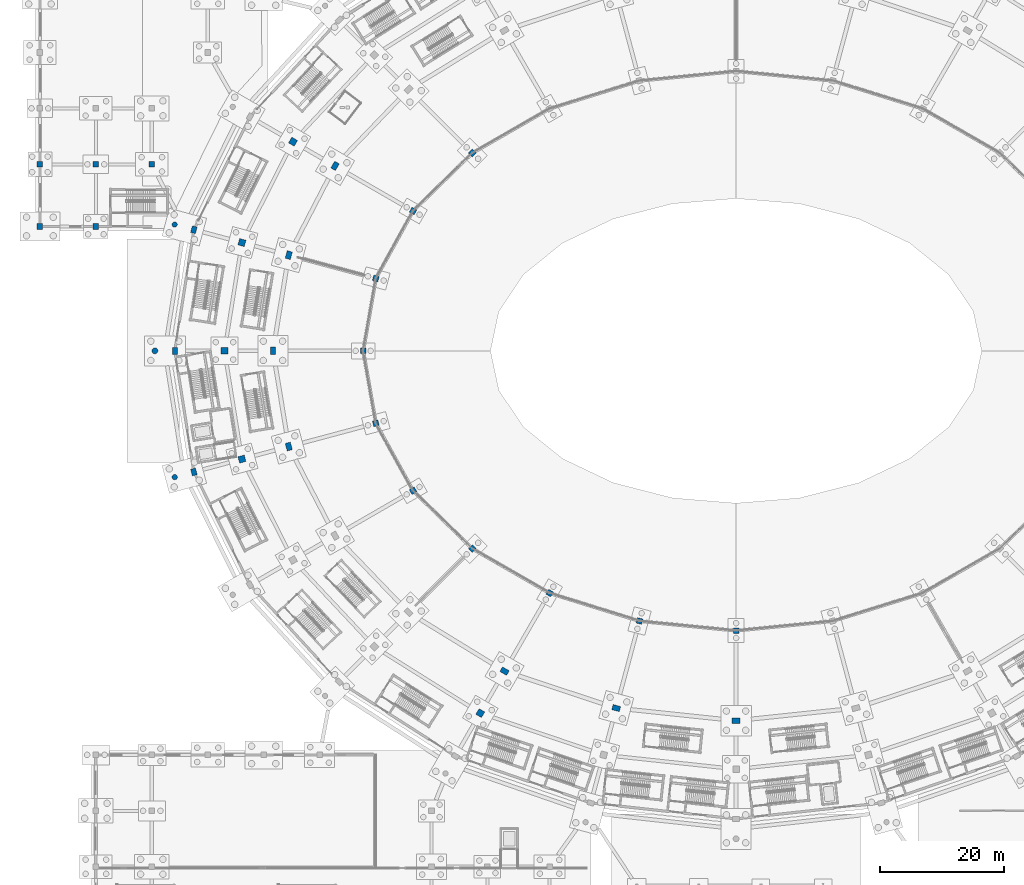
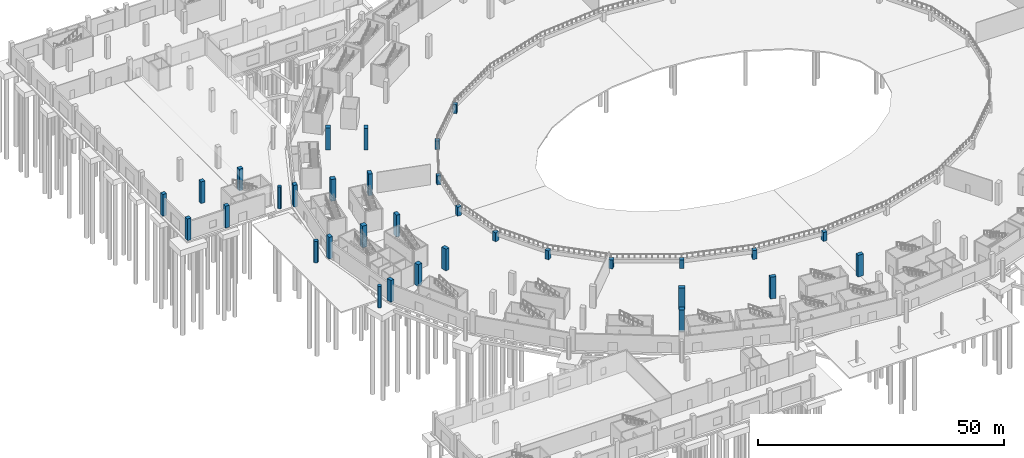
# One storey, part 18 of 103: 33 columns.
"""IFC4 building model written with IfcOpenShell, lengths in metres."""

from ifc_helpers import new_model, si_unit, direction, frame, origin, origin_2d, place, context, subcontext, project, spatial, rectangle, circle, extrude, material, material_profile, profile_set, type_object, element, save


model = new_model("IFC4")

# Units and contexts
model_context = context("Model", 3, precision=1e-05, world=origin(), true_north=direction((0.0, 1.0)))
body_context = subcontext(model_context, "Body", "Model", "MODEL_VIEW")
ifc_project = project(units=[si_unit("LENGTHUNIT", "METRE"), si_unit("AREAUNIT", "SQUARE_METRE"), si_unit("VOLUMEUNIT", "CUBIC_METRE"), si_unit("PLANEANGLEUNIT", "RADIAN"), si_unit("MASSUNIT", "GRAM", prefix="KILO")], contexts=[model_context])

# Site, building, storey
site_placement = place(None, origin())
site = spatial("IfcSite", under=ifc_project, at=site_placement, CompositionType="ELEMENT")
building_placement = place(site_placement, origin())
building = spatial("IfcBuilding", under=site, at=building_placement, Name="Zevraka Park Crest Stadium", CompositionType="ELEMENT")
storey_placement = place(building_placement, origin())
storey = spatial("IfcBuildingStorey", under=building, at=storey_placement, Name="L00", CompositionType="ELEMENT", Elevation=0.0)

# Columns
ifc_material_1 = material(Name="Concrete C40/50", Category="concrete")
ifc_material_profile_1 = material_profile(ifc_material_1, rectangle(XDim=0.85009765625, YDim=1.25, at=origin_2d()), Name="RC 1250x850")
ifc_profile_set_1 = profile_set([ifc_material_profile_1], Name="Concrete C40/50")
column_type_1 = type_object("IfcColumnType", Name="C01", PredefinedType="COLUMN", material=ifc_profile_set_1)
for number, where, z_axis, x_axis, name in (
    (1, (47.48095703125, 121.75, 0.0), (0.0, 0.0, 1.0), (-0.866025403784, 0.5, 0.0), "Bowl Main Column C01 L00-B-10"),
    (2, (40.0390625, 107.39990234375, 0.0), (0.0, 0.0, 1.0), (-0.965925826289, 0.258819045103, 0.0), "Bowl Main Column C01 L00-B-11"),
    (3, (37.5, 92.0, 0.0), (0.0, 0.0, 1.0), (1.0, 0.0, 0.0), "Bowl Main Column C01 L00-B-12"),
    (4, (40.0390625, 76.60009765625, 0.0), (0.0, 0.0, 1.0), (0.965925826289, 0.258819045103, 0.0), "Bowl Main Column C01 L00-B-13"),
    (5, (74.75, 40.470947265625, 0.0), (0.0, 0.0, 1.0), (0.5, 0.866025403784, 0.0), "Bowl Main Column C01 L00-B-16"),
    (6, (92.718017578125, 34.527099609375, 0.0), (0.0, 0.0, 1.0), (0.258819045103, 0.965925826289, 0.0), "Bowl Main Column C01 L00-B-17"),
    (7, (112.0, 32.5, 0.0), (0.0, 0.0, 1.0), (0.0, 1.0, 0.0), "Bowl Main Column C01 L00-B-18"),
):
    element("IfcColumn", number, at=place(storey_placement, frame(where, z_axis=z_axis, x_axis=x_axis)), inside=storey, type_object=column_type_1, Name=name, PredefinedType="COLUMN", context=body_context, shape_type="SweptSolid", body=[
        extrude(rectangle(XDim=0.85009765625, YDim=1.25, at=origin_2d()), origin(), (0.0, 0.0, 1.0), 5.39990234375),
    ])
ifc_material_2 = material(Name="Concrete C40/50", Category="concrete")
ifc_material_profile_2 = material_profile(ifc_material_2, rectangle(XDim=0.800048828125, YDim=1.10009765625, at=origin_2d()), Name="RC 1100x800")
ifc_profile_set_2 = profile_set([ifc_material_profile_2], Name="Concrete C40/50")
column_type_2 = type_object("IfcColumnType", Name="C02", PredefinedType="COLUMN", material=ifc_profile_set_2)
for number, where, z_axis, x_axis, name in (
    (8, (24.777099609375, 111.489013671875, 0.0), (0.0, 0.0, 1.0), (-0.965925826289, 0.258819045103, 0.0), "Perimeter Ring Column C02 L00-D-11"),
    (9, (21.699951171875, 92.0, 0.0), (0.0, 0.0, 1.0), (1.0, 0.0, 0.0), "Perimeter Ring Column C02 L00-D-12"),
    (10, (24.777099609375, 72.510986328125, 0.0), (0.0, 0.0, 1.0), (0.965925826289, 0.258819045103, 0.0), "Perimeter Ring Column C02 L00-D-13"),
):
    element("IfcColumn", number, at=place(storey_placement, frame(where, z_axis=z_axis, x_axis=x_axis)), inside=storey, type_object=column_type_2, Name=name, PredefinedType="COLUMN", context=body_context, shape_type="SweptSolid", body=[
        extrude(rectangle(XDim=0.800048828125, YDim=1.10009765625, at=origin_2d()), origin(), (0.0, 0.0, 1.0), 5.39990234375),
    ])
ifc_material_3 = material(Name="Concrete C40/50", Category="concrete")
ifc_material_profile_3 = material_profile(ifc_material_3, rectangle(XDim=1.050048828125, YDim=1.050048828125, at=origin_2d()), Name="RC 1050x1050")
ifc_profile_set_3 = profile_set([ifc_material_profile_3], Name="Concrete C40/50")
column_type_3 = type_object("IfcColumnType", Name="C03", PredefinedType="COLUMN", material=ifc_profile_set_3)
for number, where, z_axis, x_axis, name in (
    (11, (40.72607421875, 125.64990234375, 0.0), (0.0, 0.0, 1.0), (-0.866025403784, 0.5, 0.0), "Concourse Mid Column C03 L00-C-10"),
    (12, (32.50390625, 109.4189453125, 0.0), (0.0, 0.0, 1.0), (-0.965925826289, 0.258819045103, 0.0), "Concourse Mid Column C03 L00-C-11"),
    (13, (29.699951171875, 92.0, 0.0), (0.0, 0.0, 1.0), (1.0, 0.0, 0.0), "Concourse Mid Column C03 L00-C-12"),
    (14, (32.50390625, 74.5810546875, 0.0), (0.0, 0.0, 1.0), (0.965925826289, 0.258819045103, 0.0), "Concourse Mid Column C03 L00-C-13"),
    (15, (70.85009765625, 33.716064453125, 0.0), (0.0, 0.0, 1.0), (0.5, 0.866025403784, 0.0), "Concourse Mid Column C03 L00-C-16"),
):
    element("IfcColumn", number, at=place(storey_placement, frame(where, z_axis=z_axis, x_axis=x_axis)), inside=storey, type_object=column_type_3, Name=name, PredefinedType="COLUMN", context=body_context, shape_type="SweptSolid", body=[
        extrude(rectangle(XDim=1.050048828125, YDim=1.050048828125, at=origin_2d()), origin(), (0.0, 0.0, 1.0), 5.39990234375),
    ])
ifc_material_4 = material(Name="Concrete C40/50", Category="concrete")
ifc_material_profile_4 = material_profile(ifc_material_4, rectangle(XDim=0.89990234375, YDim=0.89990234375, at=origin_2d()), Name="RC 900x900")
ifc_profile_set_4 = profile_set([ifc_material_profile_4], Name="Concrete C40/50")
column_type_4 = type_object("IfcColumnType", Name="C04", PredefinedType="COLUMN", material=ifc_profile_set_4)
for number, where, z_axis, x_axis, name in (
    (16, (69.573974609375, 123.820068359375, 0.0), (0.0, 0.0, 1.0), (-0.707106781187, 0.707106781187, 0.0), "Bowl Moat Column C04 L00-A-09"),
    (17, (60.0380859375, 114.5, 0.0), (0.0, 0.0, 1.0), (-0.866025403784, 0.5, 0.0), "Bowl Moat Column C04 L00-A-10"),
    (18, (54.0439453125, 103.64697265625, 0.0), (0.0, 0.0, 1.0), (-0.965925826289, 0.258819045103, 0.0), "Bowl Moat Column C04 L00-A-11"),
    (19, (52.0, 92.0, 0.0), (0.0, 0.0, 1.0), (1.0, 0.0, 0.0), "Bowl Moat Column C04 L00-A-12"),
    (20, (54.0439453125, 80.35302734375, 0.0), (0.0, 0.0, 1.0), (0.965925826289, 0.258819045103, 0.0), "Bowl Moat Column C04 L00-A-13"),
    (21, (60.0380859375, 69.5, 0.0), (0.0, 0.0, 1.0), (0.866025403784, 0.5, 0.0), "Bowl Moat Column C04 L00-A-14"),
    (22, (69.573974609375, 60.179931640625, 0.0), (0.0, 0.0, 1.0), (0.707106781187, 0.707106781187, 0.0), "Bowl Moat Column C04 L00-A-15"),
    (23, (82.0, 53.029052734375, 0.0), (0.0, 0.0, 1.0), (0.5, 0.866025403784, 0.0), "Bowl Moat Column C04 L00-A-16"),
    (24, (96.470947265625, 48.532958984375, 0.0), (0.0, 0.0, 1.0), (0.258819045103, 0.965925826289, 0.0), "Bowl Moat Column C04 L00-A-17"),
    (25, (112.0, 47.0, 0.0), (0.0, 0.0, 1.0), (0.0, 1.0, 0.0), "Bowl Moat Column C04 L00-A-18"),
):
    element("IfcColumn", number, at=place(storey_placement, frame(where, z_axis=z_axis, x_axis=x_axis)), inside=storey, type_object=column_type_4, Name=name, PredefinedType="COLUMN", context=body_context, shape_type="SweptSolid", body=[
        extrude(rectangle(XDim=0.89990234375, YDim=0.89990234375, at=origin_2d()), origin(), (0.0, 0.0, 1.0), 2.199951171875),
    ])
for number, where, z_axis, x_axis, name in (
    (26, (0.0, 112.0, 0.0), (0.0, 0.0, 1.0), (1.0, 0.0, 0.0), "Wing Column C04 L00-1/N"),
    (27, (0.0, 122.0, 0.0), (0.0, 0.0, 1.0), (1.0, 0.0, 0.0), "Wing Column C04 L00-1/P"),
    (28, (9.0, 112.0, 0.0), (0.0, 0.0, 1.0), (1.0, 0.0, 0.0), "Wing Column C04 L00-2/N"),
    (29, (9.0, 122.0, 0.0), (0.0, 0.0, 1.0), (1.0, 0.0, 0.0), "Wing Column C04 L00-2/P"),
    (30, (18.0, 122.0, 0.0), (0.0, 0.0, 1.0), (1.0, 0.0, 0.0), "Wing Column C04 L00-3/P"),
):
    element("IfcColumn", number, at=place(storey_placement, frame(where, z_axis=z_axis, x_axis=x_axis)), inside=storey, type_object=column_type_4, Name=name, PredefinedType="COLUMN", context=body_context, shape_type="SweptSolid", body=[
        extrude(rectangle(XDim=0.89990234375, YDim=0.89990234375, at=origin_2d()), origin(), (0.0, 0.0, 1.0), 5.39990234375),
    ])
ifc_material_5 = material(Name="Concrete C40/50", Category="concrete")
ifc_material_profile_5 = material_profile(ifc_material_5, circle(Radius=0.425048828125, at=origin_2d()), Name="RC D850")
ifc_profile_set_5 = profile_set([ifc_material_profile_5], Name="Concrete C40/50")
column_type_5 = type_object("IfcColumnType", Name="C06", PredefinedType="COLUMN", material=ifc_profile_set_5)
for number, where, z_axis, x_axis, name in (
    (31, (21.68603515625, 112.31689453125, 0.0), (0.0, 0.0, 1.0), (1.0, 0.0, 0.0), "Arcade Cumba Column C06 L00-E-11"),
    (32, (21.68603515625, 71.68310546875, 0.0), (0.0, 0.0, 1.0), (1.0, 0.0, 0.0), "Arcade Cumba Column C06 L00-E-13"),
):
    element("IfcColumn", number, at=place(storey_placement, frame(where, z_axis=z_axis, x_axis=x_axis)), inside=storey, type_object=column_type_5, Name=name, PredefinedType="COLUMN", context=body_context, shape_type="SweptSolid", body=[
        extrude(circle(Radius=0.425048828125, at=origin_2d()), origin(), (0.0, 0.0, 1.0), 5.39990234375),
    ])
ifc_material_6 = material(Name="Concrete C40/50", Category="concrete")
ifc_material_profile_6 = material_profile(ifc_material_6, circle(Radius=0.47509765625, at=origin_2d()), Name="RC D950")
ifc_profile_set_6 = profile_set([ifc_material_profile_6], Name="Concrete C40/50")
column_type_6 = type_object("IfcColumnType", Name="C12", PredefinedType="COLUMN", material=ifc_profile_set_6)
column_placement = place(storey_placement, frame((18.5, 92.0, 0.0), z_axis=(0.0, 0.0, 1.0), x_axis=(1.0, 0.0, 0.0)))
element("IfcColumn", 33, at=column_placement, inside=storey, type_object=column_type_6, Name="Arcade Cumba Column C12 L00-E-12", PredefinedType="COLUMN", context=body_context, shape_type="SweptSolid", body=[
    extrude(circle(Radius=0.47509765625, at=origin_2d()), origin(), (0.0, 0.0, 1.0), 5.39990234375),
])

save(model, "model.ifc")
